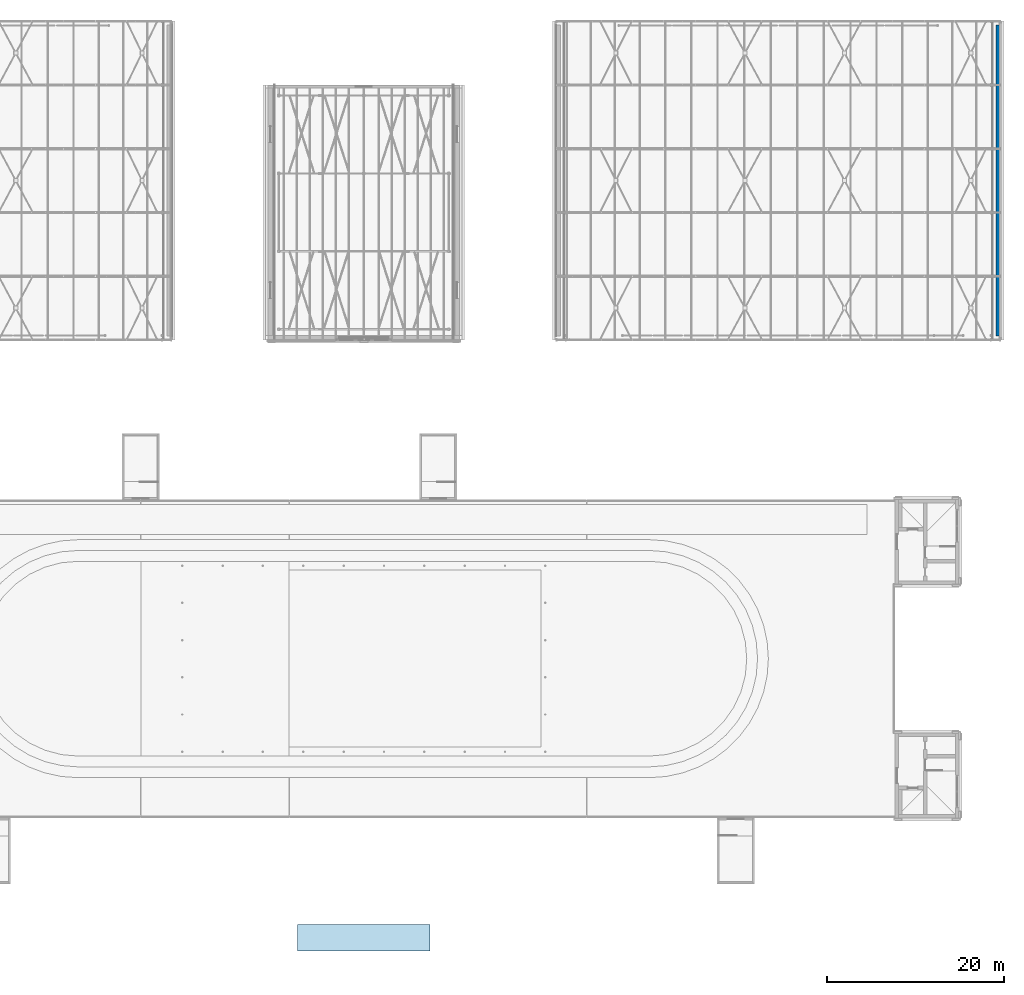
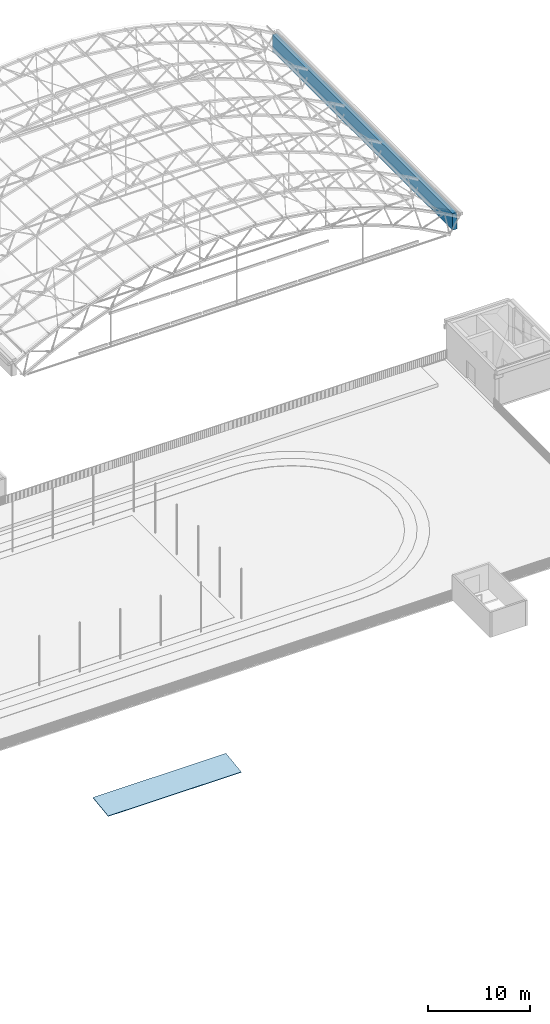
# One storey, part 75 of 127: 1 roof, 1 wall.
"""IFC4 building model written with IfcOpenShell, lengths in metres."""

from ifc_helpers import new_model, si_unit, direction, frame, frame_2d, origin, place, context, subcontext, project, spatial, rectangle, extrude, polygons, material, layer, layer_set, type_object, element, save


model = new_model("IFC4")

# Units and contexts
model_context = context("Model", 3, precision=1e-05, world=origin(), true_north=direction((0.0, 1.0)))
body_context = subcontext(model_context, "Body", "Model", "MODEL_VIEW")
ifc_project = project(units=[si_unit("LENGTHUNIT", "METRE"), si_unit("AREAUNIT", "SQUARE_METRE"), si_unit("VOLUMEUNIT", "CUBIC_METRE"), si_unit("PLANEANGLEUNIT", "RADIAN"), si_unit("MASSUNIT", "GRAM", prefix="KILO")], contexts=[model_context])

# Site, building, storey
site_placement = place(None, origin())
site = spatial("IfcSite", under=ifc_project, at=site_placement, CompositionType="ELEMENT")
building_placement = place(site_placement, origin())
building = spatial("IfcBuilding", under=site, at=building_placement, Name="Verrick Yard Athletic Hall", CompositionType="ELEMENT")
storey_placement = place(building_placement, frame((0.0, 0.0, 14.0)))
storey = spatial("IfcBuildingStorey", under=building, at=storey_placement, Name="L03", CompositionType="ELEMENT", Elevation=14.0)

# Wall
ifc_material_1 = material(Name="Through-coloured mineral render, warm white")
ifc_layer_1 = layer(ifc_material_1, 0.125, Name="Through-coloured mineral render, warm white")
ifc_material_2 = material(Name="Mineral wool insulation")
ifc_layer_2 = layer(ifc_material_2, 0.125, Name="Mineral wool insulation")
ifc_material_3 = material(Name="Concrete 35 MPa", Category="concrete")
ifc_layer_3 = layer(ifc_material_3, 0.25, Name="Concrete 35 MPa")
ifc_layer_set_1 = layer_set([ifc_layer_1, ifc_layer_2, ifc_layer_3], Name="Hall upper wall")
wall_type = type_object("IfcWallType", Name="Hall upper wall", PredefinedType="SOLIDWALL", material=ifc_layer_set_1)
wall_placement = place(storey_placement, frame((170.425048828125, 72.41845703125, 0.0), z_axis=(0.0, 0.0, 1.0), x_axis=(0.0, 1.0, 0.0)))
element("IfcWall", 1, at=wall_placement, inside=storey, type_object=wall_type, Name="ENVB-HA-E-L03", PredefinedType="SOLIDWALL", context=body_context, shape_type="SweptSolid", body=[
    extrude(rectangle(XDim=35.1630859375, YDim=0.5, at=frame_2d((17.58154296875, 0.0))), origin(), (0.0, 0.0, 1.0), 2.0),
])

# Roof
ifc_material_4 = material(Name="Glass IGU low-e", Category="glass")
ifc_layer_4 = layer(ifc_material_4, 0.0625)
ifc_layer_set_2 = layer_set([ifc_layer_4], Name="Glass shed roof")
roof_type = type_object("IfcRoofType", Name="Glass shed roof", PredefinedType="SHED_ROOF", material=ifc_layer_set_2)
roof_placement = place(storey_placement, origin())
element("IfcRoof", 2, at=roof_placement, inside=storey, type_object=roof_type, Name="Glazed porch roof", PredefinedType="SHED_ROOF", context=body_context, shape_type="Tessellation", body=[
    polygons([(91.300048828125, 3.0, -0.041015625), (106.300048828125, 3.0, -0.041015625), (106.300048828125, 6.0, 0.35888671875), (91.300048828125, 6.0, 0.35888671875), (91.300048828125, 3.0, -0.103515625), (106.300048828125, 3.0, -0.103515625), (106.300048828125, 6.0, 0.29638671875), (91.300048828125, 6.0, 0.29638671875)], [[[1, 2, 3]], [[1, 3, 4]], [[5, 7, 6]], [[5, 8, 7]], [[1, 5, 6]], [[1, 6, 2]], [[2, 6, 7]], [[2, 7, 3]], [[3, 7, 8]], [[3, 8, 4]], [[4, 8, 5]], [[4, 5, 1]]], closed=True),
])

save(model, "model.ifc")
